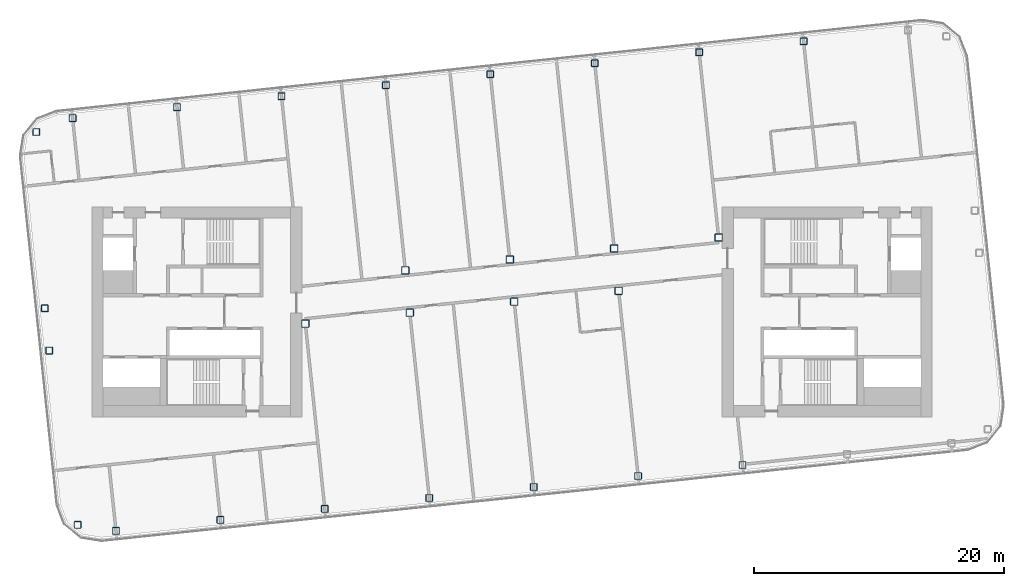
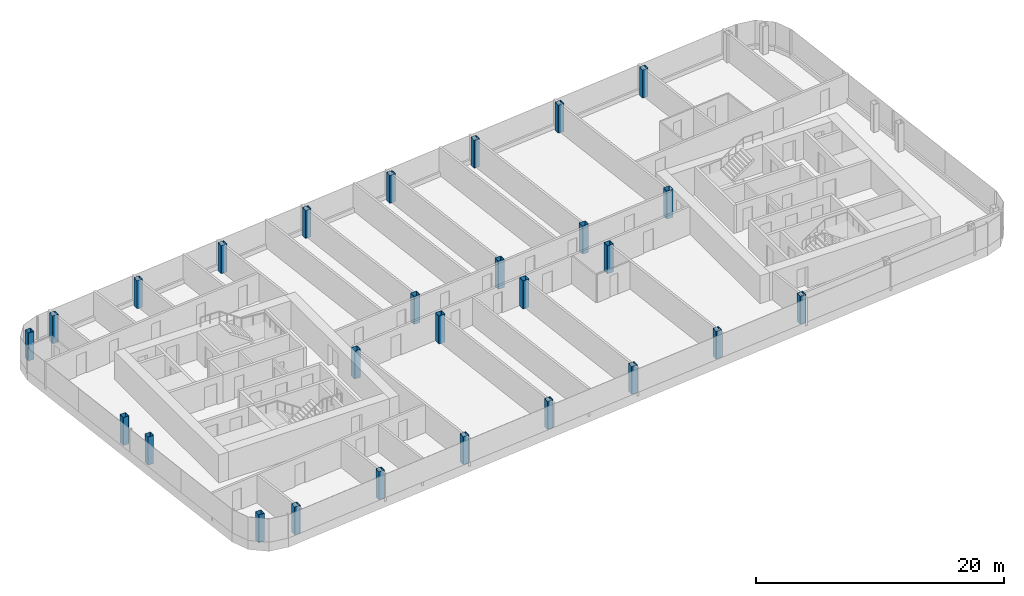
# One storey, part 1 of 26: 27 columns.
"""IFC4 building model written with IfcOpenShell, lengths in metres."""

import ifcopenshell
import ifcopenshell.guid

model = None  # the IFC model being written
_history = None  # IfcOwnerHistory: only IFC2X3 demands one
_inside = {}  # id of a spatial element -> (the spatial element, [elements in it])
_under = {}  # id of a project, library or spatial element -> (it, [spatial elements below it])
_declared = {}  # id of a project -> (the project, [libraries it declares])
_typed = {}  # id of a type object -> (the type object, [elements of that type])
_made_of = {}  # id of a material, layer set ... -> (it, [elements and type objects made of it])


def new_model(schema):
    """Start an empty IFC model of exactly this schema.

    Asked for "IFC4X3", IfcOpenShell would pick the latest addendum, in which some entities
    have other attributes; the version numbers below select the first issue.
    IFC2X3 requires an IfcOwnerHistory on every rooted entity: one is made here for all.
    """
    global model, _history
    if schema == "IFC4X3":
        model = ifcopenshell.file(schema_version=(4, 3, 0, 0))
    else:
        model = ifcopenshell.file(schema=schema)
    _inside.clear()
    _under.clear()
    _declared.clear()
    _typed.clear()
    _made_of.clear()
    _history = None
    if model.schema == "IFC2X3":
        org = make("IfcOrganization", Name="unknown")
        user = make(
            "IfcPersonAndOrganization",
            ThePerson=make("IfcPerson", FamilyName="unknown"),
            TheOrganization=org,
        )
        app = make(
            "IfcApplication",
            ApplicationDeveloper=org,
            Version="unknown",
            ApplicationFullName="unknown",
            ApplicationIdentifier="unknown",
        )
        _history = make(
            "IfcOwnerHistory",
            OwningUser=user,
            OwningApplication=app,
            ChangeAction="ADDED",
            CreationDate=0,
        )
    return model


def make(cls, **values):
    """One entity of the class cls with the attributes given. An attribute that is None is left unset."""
    return model.create_entity(
        cls, **{name: value for name, value in values.items() if value is not None}
    )


def rooted(cls, **values):
    """An entity with a GlobalId (a new one), such as an element, a storey or a relation."""
    return make(cls, GlobalId=ifcopenshell.guid.new(), OwnerHistory=_history, **values)


def si_unit(unit_type, name, prefix=None):
    """IfcSIUnit, for example si_unit("LENGTHUNIT", "METRE", prefix="MILLI")."""
    return make("IfcSIUnit", UnitType=unit_type, Prefix=prefix, Name=name)


def assignment(units):
    """IfcUnitAssignment: the units of a project."""
    return None if units is None else make("IfcUnitAssignment", Units=units)


def point(xyz):
    """IfcCartesianPoint."""
    return None if xyz is None else make("IfcCartesianPoint", Coordinates=xyz)


def direction(xyz):
    """IfcDirection."""
    return None if xyz is None else make("IfcDirection", DirectionRatios=xyz)


def frame(location, z_axis=None, x_axis=None):
    """IfcAxis2Placement3D, a coordinate frame: its origin and axes. An axis left out is left unset."""
    return make(
        "IfcAxis2Placement3D",
        Location=point(location),
        Axis=direction(z_axis),
        RefDirection=direction(x_axis),
    )


def frame_2d(location, x_axis=None):
    """IfcAxis2Placement2D, a coordinate frame in the plane: its origin and x axis."""
    return make(
        "IfcAxis2Placement2D", Location=point(location), RefDirection=direction(x_axis)
    )


def origin():
    """The frame at (0, 0, 0) with its axes left unset."""
    return frame((0.0, 0.0, 0.0))


def origin_2d():
    """The frame at (0, 0) in the plane with its x axis left unset."""
    return frame_2d((0.0, 0.0))


def place(relative_to, where):
    """IfcLocalPlacement: puts the frame where relative to a parent placement (None: the world)."""
    return make(
        "IfcLocalPlacement", PlacementRelTo=relative_to, RelativePlacement=where
    )


def context(
    kind, dimensions, precision=None, world=None, true_north=None, identifier=None
):
    """IfcGeometricRepresentationContext, for example the 3D "Model" context."""
    return make(
        "IfcGeometricRepresentationContext",
        ContextIdentifier=identifier,
        ContextType=kind,
        CoordinateSpaceDimension=dimensions,
        Precision=precision,
        WorldCoordinateSystem=world,
        TrueNorth=true_north,
    )


def subcontext(parent, identifier, kind, view, scale=None):
    """IfcGeometricRepresentationSubContext, for example "Body" below "Model"."""
    return make(
        "IfcGeometricRepresentationSubContext",
        ContextIdentifier=identifier,
        ContextType=kind,
        ParentContext=parent,
        TargetScale=scale,
        TargetView=view,
    )


def project(units=None, contexts=None):
    """IfcProject with its units and contexts."""
    return rooted(
        "IfcProject",
        Name="project",
        RepresentationContexts=contexts,
        UnitsInContext=assignment(units),
    )


def spatial(cls, under=None, at=None, **own):
    """A site, building, storey or space (cls), placed at a placement, below another one or the project."""
    s = rooted(cls, ObjectPlacement=at, **own)
    if under is not None:
        _under.setdefault(under.id(), (under, []))[1].append(s)
    return s


def profile(cls, at=None, kind="AREA", **sizes):
    """A parametric profile (cls). Its sizes go by their IFC names, for example OverallWidth=200.0."""
    return make(cls, ProfileType=kind, Position=at, **sizes)


def hollow_rectangle(**sizes):
    """IfcRectangleHollowProfileDef."""
    return profile("IfcRectangleHollowProfileDef", **sizes)


def extrude(swept, where, along, depth):
    """IfcExtrudedAreaSolid: the profile swept, set in the frame where, extruded along a direction by depth."""
    return make(
        "IfcExtrudedAreaSolid",
        SweptArea=swept,
        Position=where,
        ExtrudedDirection=direction(along),
        Depth=depth,
    )


def shape(context_of_items, identifier, shape_type, items):
    """IfcShapeRepresentation: the items that make up one representation, for example the "Body"."""
    return make(
        "IfcShapeRepresentation",
        ContextOfItems=context_of_items,
        RepresentationIdentifier=identifier,
        RepresentationType=shape_type,
        Items=items,
    )


def material(Name=None, Category=None):
    """IfcMaterial."""
    return make("IfcMaterial", Name=Name, Category=Category)


def material_profile(
    of_material, cross_section, Name=None, Category=None, Priority=None
):
    """IfcMaterialProfile: a cross section and its material."""
    return make(
        "IfcMaterialProfile",
        Name=Name,
        Material=of_material,
        Profile=cross_section,
        Priority=Priority,
        Category=Category,
    )


def profile_set(profiles, Name=None, composite=None):
    """IfcMaterialProfileSet."""
    return make(
        "IfcMaterialProfileSet",
        Name=Name,
        MaterialProfiles=profiles,
        CompositeProfile=composite,
    )


def made_of(thing, what):
    """Note that an element or type object is made of a material, layer set ...; save() writes the relation."""
    if what is not None:
        _made_of.setdefault(what.id(), (what, []))[1].append(thing)
    return thing


def type_object(cls, material=None, **own):
    """A type object (cls), such as IfcWallType, which elements share."""
    return made_of(rooted(cls, **own), material)


def element(
    cls,
    number,
    at=None,
    inside=None,
    cuts=None,
    type_object=None,
    material=None,
    context=None,
    identifier="Body",
    shape_type=None,
    held_by="IfcProductDefinitionShape",
    body=None,
    shapes=None,
    **own,
):
    """One element of the class cls, such as IfcWall. Its Tag is "e" and its number.

    at: its placement. inside: the storey or other place that contains it. cuts: it is an
    opening in that element (IfcRelVoidsElement). A single representation is given by context,
    identifier, shape_type and body (its items); several are given by shapes. held_by: the class
    of the entity that holds the representations. save() writes the other relations.
    """
    e = rooted(cls, Tag="e%d" % number, ObjectPlacement=at, **own)
    if body is not None:
        shapes = [shape(context, identifier, shape_type, body)]
    if shapes is not None:
        e.Representation = make(held_by, Representations=shapes)
    if inside is not None:
        _inside.setdefault(inside.id(), (inside, []))[1].append(e)
    if cuts is not None:
        rooted(
            "IfcRelVoidsElement", RelatingBuildingElement=cuts, RelatedOpeningElement=e
        )
    if type_object is not None:
        _typed.setdefault(type_object.id(), (type_object, []))[1].append(e)
    return made_of(e, material)


def aggregate(whole, parts):
    """IfcRelAggregates: a whole, such as a stair, and the parts it consists of."""
    return rooted("IfcRelAggregates", RelatingObject=whole, RelatedObjects=parts)


def save(model, path):
    """Write the relations noted so far, then the file.

    IfcRelAggregates (storeys below a building ...), IfcRelContainedInSpatialStructure (elements
    in a storey), IfcRelDefinesByType, IfcRelAssociatesMaterial and IfcRelDeclares: one each for
    every whole, place, type object, material and project.
    """
    for whole, parts in _under.values():
        aggregate(whole, parts)
    for where, things in _inside.values():
        rooted(
            "IfcRelContainedInSpatialStructure",
            RelatedElements=things,
            RelatingStructure=where,
        )
    for kind, things in _typed.values():
        rooted("IfcRelDefinesByType", RelatedObjects=things, RelatingType=kind)
    for what, things in _made_of.values():
        rooted("IfcRelAssociatesMaterial", RelatedObjects=things, RelatingMaterial=what)
    for by, libraries in _declared.values():
        rooted("IfcRelDeclares", RelatingContext=by, RelatedDefinitions=libraries)
    model.write(path)


model = new_model("IFC4")

# Units and contexts
model_context = context("Model", 3, precision=1e-05, world=origin(), true_north=direction((0.0, 1.0)))
body_context = subcontext(model_context, "Body", "Model", "MODEL_VIEW")
ifc_project = project(units=[si_unit("LENGTHUNIT", "METRE"), si_unit("AREAUNIT", "SQUARE_METRE"), si_unit("VOLUMEUNIT", "CUBIC_METRE"), si_unit("PLANEANGLEUNIT", "RADIAN"), si_unit("MASSUNIT", "GRAM", prefix="KILO")], contexts=[model_context])

# Site, building, storey
site_placement = place(None, origin())
site = spatial("IfcSite", under=ifc_project, at=site_placement, CompositionType="ELEMENT")
building_placement = place(site_placement, origin())
building = spatial("IfcBuilding", under=site, at=building_placement, Name="Hakoniwa Tower and Hamabe Station Hall", CompositionType="ELEMENT")
storey_placement = place(building_placement, frame((0.0, 0.0, 251.800048828125)))
storey = spatial("IfcBuildingStorey", under=building, at=storey_placement, Name="L71", CompositionType="ELEMENT", Elevation=251.800048828125)

# Columns
ifc_material_1 = material(Name="Steel BCP325", Category="steel")
ifc_material_profile_1 = material_profile(ifc_material_1, hollow_rectangle(XDim=0.550048828125, YDim=0.550048828125, WallThickness=0.02197265625, InnerFilletRadius=0.032958984375, OuterFilletRadius=0.054931640625, at=origin_2d()), Name="BCP-550x550x22")
ifc_profile_set_1 = profile_set([ifc_material_profile_1], Name="Steel BCP325")
column_type_1 = type_object("IfcColumnType", Name="COLUMN BCP-550x550x22", PredefinedType="COLUMN", material=ifc_profile_set_1)
for number, where, z_axis, x_axis, name in (
    (1, (-34.750732421875, -17.04248046875, 0.0), (0.0, 0.0, 1.0), (1.0, 0.0, 0.0), "Column B5-EW-A5"),
    (2, (-37.017333984375, -3.10009765625, 0.0), (0.0, 0.0, 1.0), (1.0, 0.0, 0.0), "Column B5-EW-C5"),
    (3, (-37.372802734375, 0.28125, 0.0), (0.0, 0.0, 1.0), (1.0, 0.0, 0.0), "Column B5-EW-D5"),
    (4, (-38.054443359375, 14.390380859375, 0.0), (0.0, 0.0, 1.0), (1.0, 0.0, 0.0), "Column B5-EW-F5"),
    (5, (-31.680908203125, -17.521240234375, 0.0), (0.0, 0.0, 1.0), (1.0, 0.0, 0.0), "Column B5-3-A5"),
    (6, (-35.151123046875, 15.496826171875, 0.0), (0.0, 0.0, 1.0), (1.0, 0.0, 0.0), "Column B5-3-F5"),
    (7, (-23.326904296875, -16.643310546875, 0.0), (0.0, 0.0, 1.0), (1.0, 0.0, 0.0), "Column B5-4-A5"),
    (8, (-26.797119140625, 16.375, 0.0), (0.0, 0.0, 1.0), (1.0, 0.0, 0.0), "Column B5-4-F5"),
    (9, (-14.972900390625, -15.76513671875, 0.0), (0.0, 0.0, 1.0), (1.0, 0.0, 0.0), "Column B5-5-A5"),
    (10, (-18.443115234375, 17.2529296875, 0.0), (0.0, 0.0, 1.0), (1.0, 0.0, 0.0), "Column B5-5-F5"),
    (11, (-6.618896484375, -14.88720703125, 0.0), (0.0, 0.0, 1.0), (1.0, 0.0, 0.0), "Column B5-6-A5"),
    (12, (-10.089111328125, 18.131103515625, 0.0), (0.0, 0.0, 1.0), (1.0, 0.0, 0.0), "Column B5-6-F5"),
    (13, (1.735107421875, -14.009033203125, 0.0), (0.0, 0.0, 1.0), (1.0, 0.0, 0.0), "Column B5-7-A5"),
    (14, (-1.735107421875, 19.009033203125, 0.0), (0.0, 0.0, 1.0), (1.0, 0.0, 0.0), "Column B5-7-F5"),
    (15, (10.089111328125, -13.131103515625, 0.0), (0.0, 0.0, 1.0), (1.0, 0.0, 0.0), "Column B5-8-A5"),
    (16, (6.618896484375, 19.88720703125, 0.0), (0.0, 0.0, 1.0), (1.0, 0.0, 0.0), "Column B5-8-F5"),
    (17, (18.443115234375, -12.2529296875, 0.0), (0.0, 0.0, 1.0), (1.0, 0.0, 0.0), "Column B5-9-A5"),
    (18, (14.972900390625, 20.76513671875, 0.0), (0.0, 0.0, 1.0), (1.0, 0.0, 0.0), "Column B5-9-F5"),
    (19, (23.326904296875, 21.643310546875, 0.0), (0.0, 0.0, 1.0), (1.0, 0.0, 0.0), "Column B5-10-F5"),
):
    element("IfcColumn", number, at=place(storey_placement, frame(where, z_axis=z_axis, x_axis=x_axis)), inside=storey, type_object=column_type_1, Name=name, PredefinedType="COLUMN", context=body_context, shape_type="SweptSolid", body=[
        extrude(hollow_rectangle(XDim=0.550048828125, YDim=0.550048828125, WallThickness=0.02197265625, InnerFilletRadius=0.032958984375, OuterFilletRadius=0.054931640625, at=origin_2d()), origin(), (0.0, 0.0, 1.0), 2.75),
    ])
ifc_material_2 = material(Name="Steel BCP325", Category="steel")
ifc_material_profile_2 = material_profile(ifc_material_2, hollow_rectangle(XDim=0.60009765625, YDim=0.60009765625, WallThickness=0.02490234375, InnerFilletRadius=0.03759765625, OuterFilletRadius=0.0625, at=origin_2d()), Name="BCP-600x600x25")
ifc_profile_set_2 = profile_set([ifc_material_profile_2], Name="Steel BCP325")
column_type_2 = type_object("IfcColumnType", Name="COLUMN BCP-600x600x25", PredefinedType="COLUMN", material=ifc_profile_set_2)
for number, where, z_axis, x_axis, name in (
    (20, (-16.5302734375, -0.94677734375, 0.0), (0.0, 0.0, 1.0), (1.0, 0.0, 0.0), "Column B5-5-C5"),
    (21, (-8.17626953125, -0.068603515625, 0.0), (0.0, 0.0, 1.0), (1.0, 0.0, 0.0), "Column B5-6-C5"),
    (22, (-8.53173828125, 3.3125, 0.0), (0.0, 0.0, 1.0), (1.0, 0.0, 0.0), "Column B5-6-D5"),
    (23, (0.177734375, 0.809326171875, 0.0), (0.0, 0.0, 1.0), (1.0, 0.0, 0.0), "Column B5-7-C5"),
    (24, (-0.177734375, 4.190673828125, 0.0), (0.0, 0.0, 1.0), (1.0, 0.0, 0.0), "Column B5-7-D5"),
    (25, (8.53173828125, 1.6875, 0.0), (0.0, 0.0, 1.0), (1.0, 0.0, 0.0), "Column B5-8-C5"),
    (26, (8.17626953125, 5.068603515625, 0.0), (0.0, 0.0, 1.0), (1.0, 0.0, 0.0), "Column B5-8-D5"),
    (27, (16.5302734375, 5.94677734375, 0.0), (0.0, 0.0, 1.0), (1.0, 0.0, 0.0), "Column B5-9-D5"),
):
    element("IfcColumn", number, at=place(storey_placement, frame(where, z_axis=z_axis, x_axis=x_axis)), inside=storey, type_object=column_type_2, Name=name, PredefinedType="COLUMN", context=body_context, shape_type="SweptSolid", body=[
        extrude(hollow_rectangle(XDim=0.60009765625, YDim=0.60009765625, WallThickness=0.02490234375, InnerFilletRadius=0.03759765625, OuterFilletRadius=0.0625, at=origin_2d()), origin(), (0.0, 0.0, 1.0), 2.75),
    ])

save(model, "model.ifc")
